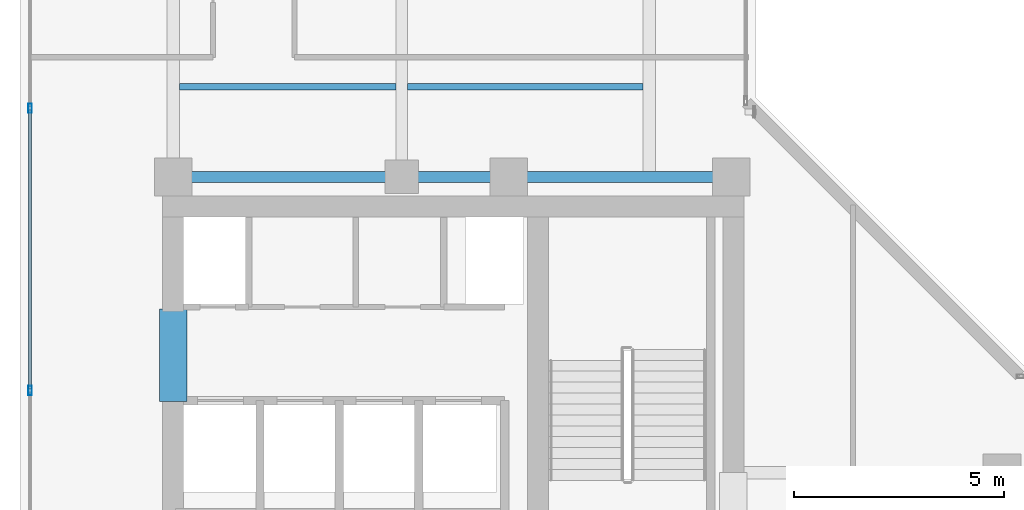
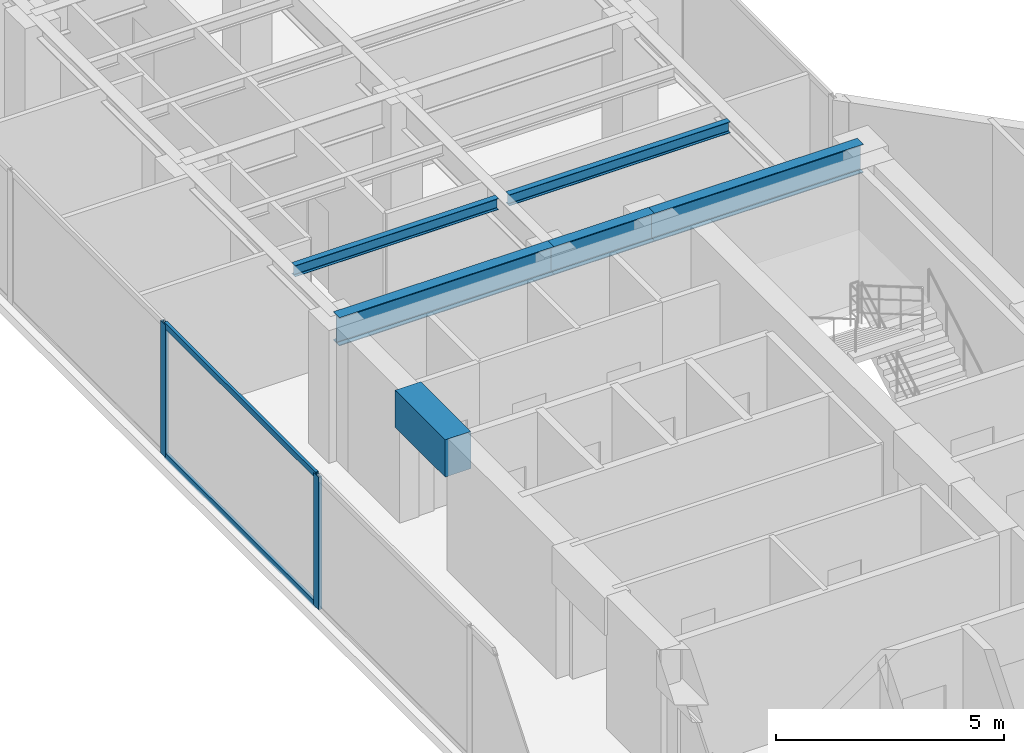
# One storey, part 7 of 24: 6 beams, 4 members, 1 element without a shape of its own.
"""IFC4 building model written with IfcOpenShell, lengths in metres."""

from ifc_helpers import new_model, si_unit, direction, frame, origin, origin_with_axes, origin_2d, place, context, subcontext, project, spatial, rectangle, hollow_rectangle, i_section, extrude, source, transform, mapped, material, layer, layer_set, material_profile, profile_set, type_object, element, aggregate, save


model = new_model("IFC4")

# Units and contexts
model_context = context("Model", 3, precision=1e-05, world=origin(), true_north=direction((0.0, 1.0)))
body_context = subcontext(model_context, "Body", "Model", "MODEL_VIEW")
ifc_project = project(units=[si_unit("LENGTHUNIT", "METRE"), si_unit("AREAUNIT", "SQUARE_METRE"), si_unit("VOLUMEUNIT", "CUBIC_METRE"), si_unit("PLANEANGLEUNIT", "RADIAN"), si_unit("MASSUNIT", "GRAM", prefix="KILO")], contexts=[model_context])

# Site, building, storey
site_placement = place(None, origin())
site = spatial("IfcSite", under=ifc_project, at=site_placement, CompositionType="ELEMENT")
building_placement = place(site_placement, origin())
building = spatial("IfcBuilding", under=site, at=building_placement, Name="Kolvaren Waterfront Exchange", CompositionType="ELEMENT")
storey_placement = place(building_placement, frame((0.0, 0.0, 285.60009765625)))
storey = spatial("IfcBuildingStorey", under=building, at=storey_placement, Name="L73", CompositionType="ELEMENT", Elevation=285.60009765625)

# Beams
ifc_material_1 = material(Name="Steel S355", Category="steel")
ifc_material_profile_1 = material_profile(ifc_material_1, i_section(OverallWidth=0.14990234375, OverallDepth=0.300048828125, WebThickness=0.007080078125, FlangeThickness=0.0107421875, FilletRadius=0.014892578125, at=origin_2d()), Name="IPE300")
ifc_profile_set_1 = profile_set([ifc_material_profile_1], Name="Steel S355")
beam_type_1 = type_object("IfcBeamType", Name="STR-BM-IPE300", PredefinedType="JOIST", material=ifc_profile_set_1)
beam_1_placement = place(storey_placement, frame((7.60205078125, 26.60009765625, 3.409912109375), z_axis=(1.0, 0.0, 0.0), x_axis=(0.0, 1.0, 0.0)))
element("IfcBeam", 1, at=beam_1_placement, inside=storey, type_object=beam_type_1, Name="L73 north-arm composite joist 1A", PredefinedType="JOIST", context=body_context, shape_type="SweptSolid", body=[
    extrude(i_section(OverallWidth=0.14990234375, OverallDepth=0.300048828125, WebThickness=0.007080078125, FlangeThickness=0.0107421875, FilletRadius=0.014892578125, at=origin_2d()), origin(), (0.0, 0.0, 1.0), 5.162353515625),
])
beam_2_placement = place(storey_placement, frame((13.035400390625, 26.60009765625, 3.409912109375), z_axis=(1.0, 0.0, 0.0), x_axis=(0.0, 1.0, 0.0)))
element("IfcBeam", 2, at=beam_2_placement, inside=storey, type_object=beam_type_1, Name="L73 north-arm composite joist 1B", PredefinedType="JOIST", context=body_context, shape_type="SweptSolid", body=[
    extrude(i_section(OverallWidth=0.14990234375, OverallDepth=0.300048828125, WebThickness=0.007080078125, FlangeThickness=0.0107421875, FilletRadius=0.014892578125, at=origin_2d()), origin(), (0.0, 0.0, 1.0), 5.612548828125),
])
ifc_material_profile_2 = material_profile(ifc_material_1, i_section(OverallWidth=0.26708984375, OverallDepth=0.761962890625, WebThickness=0.014404296875, FlangeThickness=0.021484375, FilletRadius=0.01708984375, at=origin_2d()), Name="IPE750x173")
ifc_profile_set_2 = profile_set([ifc_material_profile_2], Name="Steel S355")
beam_type_2 = type_object("IfcBeamType", Name="STR-BM-IPE750", PredefinedType="BEAM", material=ifc_profile_set_2)
beam_3_placement = place(storey_placement, frame((7.449951171875, 24.449951171875, 3.178955078125), z_axis=(1.0, 0.0, 0.0), x_axis=(0.0, 1.0, 0.0)))
element("IfcBeam", 3, at=beam_3_placement, inside=storey, type_object=beam_type_2, Name="L73 north-arm girder 1A", PredefinedType="BEAM", context=body_context, shape_type="SweptSolid", body=[
    extrude(i_section(OverallWidth=0.26708984375, OverallDepth=0.761962890625, WebThickness=0.014404296875, FlangeThickness=0.021484375, FilletRadius=0.01708984375, at=origin_2d()), origin(), (0.0, 0.0, 1.0), 5.449951171875),
])
beam_4_placement = place(storey_placement, frame((12.89990234375, 24.449951171875, 3.178955078125), z_axis=(1.0, 0.0, 0.0), x_axis=(0.0, 1.0, 0.0)))
element("IfcBeam", 4, at=beam_4_placement, inside=storey, type_object=beam_type_2, Name="L73 north-arm girder 1B", PredefinedType="BEAM", context=body_context, shape_type="SweptSolid", body=[
    extrude(i_section(OverallWidth=0.26708984375, OverallDepth=0.761962890625, WebThickness=0.014404296875, FlangeThickness=0.021484375, FilletRadius=0.01708984375, at=origin_2d()), origin(), (0.0, 0.0, 1.0), 2.550048828125),
])
beam_5_placement = place(storey_placement, frame((15.449951171875, 24.449951171875, 3.178955078125), z_axis=(1.0, 0.0, 0.0), x_axis=(0.0, 1.0, 0.0)))
element("IfcBeam", 5, at=beam_5_placement, inside=storey, type_object=beam_type_2, Name="L73 north-arm girder 1C", PredefinedType="BEAM", context=body_context, shape_type="SweptSolid", body=[
    extrude(i_section(OverallWidth=0.26708984375, OverallDepth=0.761962890625, WebThickness=0.014404296875, FlangeThickness=0.021484375, FilletRadius=0.01708984375, at=origin_2d()), origin(), (0.0, 0.0, 1.0), 5.300048828125),
])
ifc_material_2 = material(Name="Concrete C60/75", Category="concrete")
ifc_material_profile_3 = material_profile(ifc_material_2, rectangle(XDim=0.64990234375, YDim=1.0, at=origin_2d()), Name="RC-CB-1000x650")
ifc_profile_set_3 = profile_set([ifc_material_profile_3], Name="Concrete C60/75")
beam_type_3 = type_object("IfcBeamType", Name="STR-CB-1000", PredefinedType="SPANDREL", material=ifc_profile_set_3)
beam_6_placement = place(storey_placement, frame((7.449951171875, 19.10009765625, 3.059814453125), z_axis=(0.0, 1.0, 0.0), x_axis=(-1.0, 0.0, 0.0)))
element("IfcBeam", 6, at=beam_6_placement, inside=storey, type_object=beam_type_3, Name="L73 core coupling beam 5", PredefinedType="SPANDREL", context=body_context, shape_type="SweptSolid", body=[
    extrude(rectangle(XDim=0.64990234375, YDim=1.0, at=origin_2d()), origin(), (0.0, 0.0, 1.0), 2.199951171875),
])

# Curtain wall, members
ifc_material_3 = material(Name="Anodised aluminium 6063-T6", Category="aluminium")
ifc_layer = layer(ifc_material_3, 0.219970703125, Name="Anodised aluminium 6063-T6")
ifc_layer_set = layer_set([ifc_layer], Name="Anodised aluminium 6063-T6")
curtain_wall_type = type_object("IfcCurtainWallType", Name="ARC-CW-SYS2", PredefinedType="USERDEFINED", material=ifc_layer_set)
curtain_wall_placement = place(storey_placement, origin())
curtain_wall = element("IfcCurtainWall", 7, at=curtain_wall_placement, inside=storey, type_object=curtain_wall_type, Name="L73 stick curtain wall CW2 (CW-L73-W)", ObjectType="STICK CURTAIN WALL", PredefinedType="USERDEFINED")
ifc_material_profile_4 = material_profile(ifc_material_3, hollow_rectangle(XDim=0.080078125, YDim=0.219970703125, WallThickness=0.0048828125, at=origin_2d()), Name="ALU-MUL-220x80x5")
ifc_profile_set_4 = profile_set([ifc_material_profile_4], Name="Anodised aluminium 6063-T6")
member_type_1 = type_object("IfcMemberType", Name="ARC-CWM-220", PredefinedType="MULLION", material=ifc_profile_set_4)
shared_shape_1 = source(origin_with_axes(), body_context, "Body", "SweptSolid", [
    extrude(hollow_rectangle(XDim=0.080078125, YDim=0.219970703125, WallThickness=0.0048828125, at=origin_2d()), origin(), (0.0, 0.0, 1.0), 3.559814453125),
])
member_1_placement = place(storey_placement, frame((4.0400390625, 19.359619140625, 0.0), z_axis=(0.0, 0.0, 1.0), x_axis=(-1.0, 0.0, 0.0)))
member_1 = element("IfcMember", 8, at=member_1_placement, type_object=member_type_1, Name="CW2 mullion 3", PredefinedType="MULLION", context=body_context, shape_type="MappedRepresentation", body=[
    mapped(shared_shape_1, transform((0.0, 0.0, 0.0), x_axis=(1.0, 0.0, 0.0), y_axis=(0.0, 1.0, 0.0), z_axis=(0.0, 0.0, 1.0), scale=1.0)),
])
member_2_placement = place(storey_placement, frame((4.0400390625, 26.08935546875, 0.0), z_axis=(0.0, 0.0, 1.0), x_axis=(-1.0, 0.0, 0.0)))
member_2 = element("IfcMember", 9, at=member_2_placement, type_object=member_type_1, Name="CW2 mullion 4", PredefinedType="MULLION", context=body_context, shape_type="MappedRepresentation", body=[
    mapped(shared_shape_1, transform((0.0, 0.0, 0.0), x_axis=(1.0, 0.0, 0.0), y_axis=(0.0, 1.0, 0.0), z_axis=(0.0, 0.0, 1.0), scale=1.0)),
])
ifc_material_profile_5 = material_profile(ifc_material_3, hollow_rectangle(XDim=0.074951171875, YDim=0.159912109375, WallThickness=0.00439453125, at=origin_2d()), Name="ALU-TRN-160x75x4.5")
ifc_profile_set_5 = profile_set([ifc_material_profile_5], Name="Anodised aluminium 6063-T6")
member_type_2 = type_object("IfcMemberType", Name="ARC-CWT-160", PredefinedType="USERDEFINED", material=ifc_profile_set_5)
shared_shape_2 = source(origin_with_axes(), body_context, "Body", "SweptSolid", [
    extrude(hollow_rectangle(XDim=0.074951171875, YDim=0.159912109375, WallThickness=0.00439453125, at=origin_2d()), origin(), (0.0, 0.0, 1.0), 6.64990234375),
])
member_3_placement = place(storey_placement, frame((4.0400390625, 19.399658203125, 0.037353515625), z_axis=(0.0, 1.0, 0.0), x_axis=(-1.0, 0.0, 0.0)))
member_3 = element("IfcMember", 10, at=member_3_placement, type_object=member_type_2, Name="CW2 transom 3.1", ObjectType="TRANSOM", PredefinedType="USERDEFINED", context=body_context, shape_type="MappedRepresentation", body=[
    mapped(shared_shape_2, transform((0.0, 0.0, 0.0), x_axis=(1.0, 0.0, 0.0), y_axis=(0.0, 1.0, 0.0), z_axis=(0.0, 0.0, 1.0), scale=1.0)),
])
member_4_placement = place(storey_placement, frame((4.0400390625, 19.399658203125, 3.5224609375), z_axis=(0.0, 1.0, 0.0), x_axis=(-1.0, 0.0, 0.0)))
member_4 = element("IfcMember", 11, at=member_4_placement, type_object=member_type_2, Name="CW2 transom 3.2", ObjectType="TRANSOM", PredefinedType="USERDEFINED", context=body_context, shape_type="MappedRepresentation", body=[
    mapped(shared_shape_2, transform((0.0, 0.0, 0.0), x_axis=(1.0, 0.0, 0.0), y_axis=(0.0, 1.0, 0.0), z_axis=(0.0, 0.0, 1.0), scale=1.0)),
])
aggregate(curtain_wall, [member_1, member_2, member_3, member_4])

save(model, "model.ifc")
